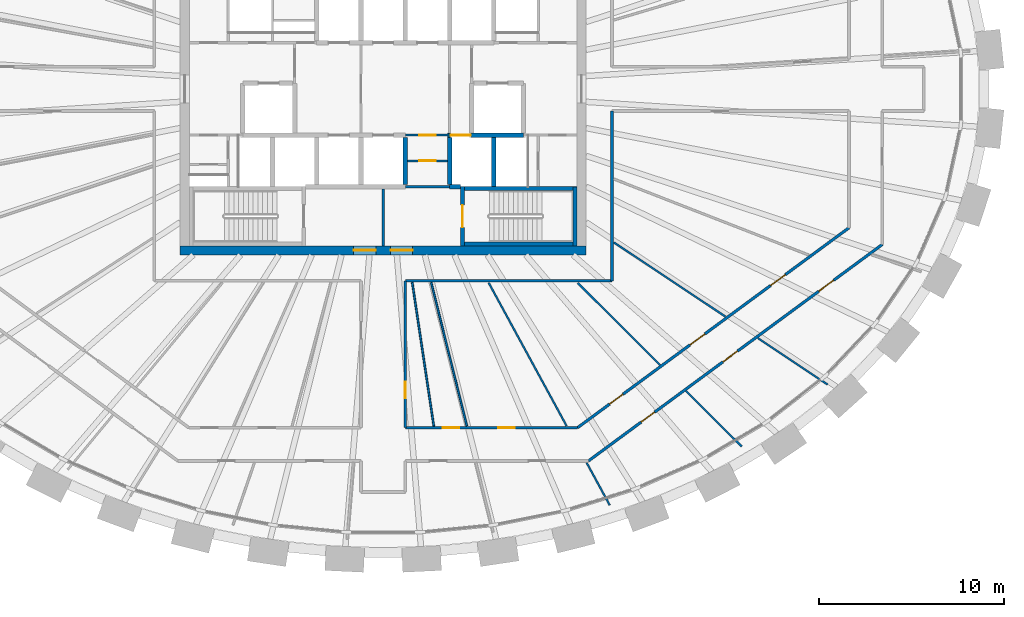
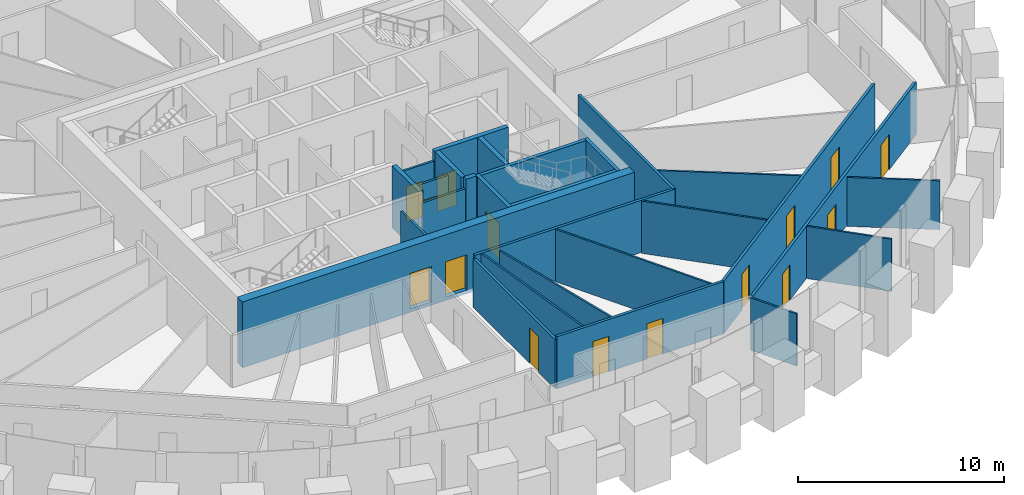
# One storey, part 8 of 12: 28 walls, 15 doors, 15 openings.
"""IFC4 building model written with IfcOpenShell, lengths in metres."""

from ifc_helpers import new_model, si_unit, direction, frame, frame_2d, origin, place, context, subcontext, project, spatial, rectangle, extrude, source, transform, mapped, material, layer, layer_set, type_object, element, fill, save


model = new_model("IFC4")

# Units and contexts
model_context = context("Model", 3, precision=1e-05, world=origin(), true_north=direction((0.0, 1.0)))
body_context = subcontext(model_context, "Body", "Model", "MODEL_VIEW")
ifc_project = project(units=[si_unit("LENGTHUNIT", "METRE"), si_unit("AREAUNIT", "SQUARE_METRE"), si_unit("VOLUMEUNIT", "CUBIC_METRE"), si_unit("PLANEANGLEUNIT", "RADIAN"), si_unit("MASSUNIT", "GRAM", prefix="KILO")], contexts=[model_context])

# Site, building, storey
site_placement = place(None, origin())
site = spatial("IfcSite", under=ifc_project, at=site_placement, CompositionType="ELEMENT")
building_placement = place(site_placement, origin())
building = spatial("IfcBuilding", under=site, at=building_placement, Name="Embergate Tower", CompositionType="ELEMENT")
storey_placement = place(building_placement, frame((0.0, 0.0, 265.60009765625)))
storey = spatial("IfcBuildingStorey", under=building, at=storey_placement, Name="L61", CompositionType="ELEMENT", Elevation=265.60009765625)

# Wall, openings, doors
ifc_material_1 = material(Name="Concrete C50", Category="concrete")
ifc_layer_1 = layer(ifc_material_1, 0.5)
ifc_layer_set_1 = layer_set([ifc_layer_1], Name="Concrete C50")
wall_type_1 = type_object("IfcWallType", Name="Core outer wall C50 500", PredefinedType="SHEAR", material=ifc_layer_set_1)
shared_shape_1 = source(origin(), body_context, "Body", "SweptSolid", [
    extrude(rectangle(XDim=22.0, YDim=0.5, at=frame_2d((11.0, 0.0))), origin(), (0.0, 0.0, 1.0), 3.900146484375),
])
wall_1_placement = place(storey_placement, frame((-11.0, -8.75, -0.2001953125), z_axis=(0.0, 0.0, 1.0), x_axis=(1.0, 0.0, 0.0)))
wall_1 = element("IfcWall", 1, at=wall_1_placement, inside=storey, type_object=wall_type_1, Name="CW-L61-S", PredefinedType="SHEAR", context=body_context, shape_type="MappedRepresentation", body=[
    mapped(shared_shape_1, transform((0.0, 0.0, 0.0))),
])
shared_shape_2 = source(origin(), body_context, "Body", "SweptSolid", [
    extrude(rectangle(XDim=1.199951171875, YDim=2.10009765625, at=frame_2d((0.60009765625, 1.050048828125))), frame((0.0, 0.260009765625, 0.0), z_axis=(0.0, -1.0, 0.0), x_axis=(1.0, 0.0, 0.0)), (0.0, 0.0, 1.0), 0.52001953125),
])
opening_1_placement = place(wall_1_placement, frame((9.39990234375, 0.0, 0.199951171875)))
opening_1 = element("IfcOpeningElement", 2, at=opening_1_placement, cuts=wall_1, Name="Opening IF-1", PredefinedType="OPENING", context=body_context, shape_type="MappedRepresentation", body=[
    mapped(shared_shape_2, transform((0.0, 0.0, 0.0))),
])
opening_2_placement = place(wall_1_placement, frame((11.39990234375, 0.0, 0.199951171875)))
opening_2 = element("IfcOpeningElement", 3, at=opening_2_placement, cuts=wall_1, Name="Opening IF-1", PredefinedType="OPENING", context=body_context, shape_type="MappedRepresentation", body=[
    mapped(shared_shape_2, transform((0.0, 0.0, 0.0))),
])
ifc_material_2 = material(Name="Escape fire door 1200")
door_type_1 = type_object("IfcDoorType", Name="Escape fire door 1200", OperationType="SINGLE_SWING_LEFT", PredefinedType="DOOR", material=ifc_material_2)
shared_shape_3 = source(origin(), body_context, "Body", "SweptSolid", [
    extrude(rectangle(XDim=1.199951171875, YDim=2.10009765625, at=frame_2d((0.60009765625, 1.050048828125))), frame((0.0, 0.02490234375, 0.0), z_axis=(0.0, -1.0, 0.0), x_axis=(1.0, 0.0, 0.0)), (0.0, 0.0, 1.0), 0.050048828125),
])
door_1_placement = place(opening_1_placement, origin())
door_1 = element("IfcDoor", 4, at=door_1_placement, inside=storey, type_object=door_type_1, Name="IF-1 door", OperationType="SINGLE_SWING_RIGHT", OverallHeight=2.10009765625, OverallWidth=1.199951171875, PredefinedType="DOOR", context=body_context, shape_type="MappedRepresentation", body=[
    mapped(shared_shape_3, transform((0.0, 0.0, 0.0))),
])
fill(opening_1, door_1)
door_2_placement = place(opening_2_placement, origin())
door_2 = element("IfcDoor", 5, at=door_2_placement, inside=storey, type_object=door_type_1, Name="IF-1 door", OperationType="SINGLE_SWING_LEFT", OverallHeight=2.10009765625, OverallWidth=1.199951171875, PredefinedType="DOOR", context=body_context, shape_type="MappedRepresentation", body=[
    mapped(shared_shape_3, transform((0.0, 0.0, 0.0))),
])
fill(opening_2, door_2)

# Walls
ifc_layer_2 = layer(ifc_material_1, 0.25)
ifc_layer_set_2 = layer_set([ifc_layer_2], Name="Concrete C50")
wall_type_2 = type_object("IfcWallType", Name="Hoistway wall reinforced concrete 250", PredefinedType="SHEAR", material=ifc_layer_set_2)
shared_shape_4 = source(origin(), body_context, "Body", "SweptSolid", [
    extrude(rectangle(XDim=2.675048828125, YDim=0.25, at=frame_2d((1.33740234375, 0.0))), origin(), (0.0, 0.0, 1.0), 3.699951171875),
])
wall_2_placement = place(storey_placement, frame((6.0, -5.300048828125, 0.0), z_axis=(0.0, 0.0, 1.0), x_axis=(0.0, 1.0, 0.0)))
element("IfcWall", 6, at=wall_2_placement, inside=storey, type_object=wall_type_2, Name="HW-1 wall", PredefinedType="SHEAR", context=body_context, shape_type="MappedRepresentation", body=[
    mapped(shared_shape_4, transform((0.0, 0.0, 0.0))),
])
ifc_layer_3 = layer(ifc_material_1, 0.199951171875)
ifc_layer_set_3 = layer_set([ifc_layer_3], Name="Concrete C50")
wall_type_3 = type_object("IfcWallType", Name="Stair enclosure wall reinforced concrete 250", PredefinedType="SHEAR", material=ifc_layer_set_3)
shared_shape_5 = source(origin(), body_context, "Body", "SweptSolid", [
    extrude(rectangle(XDim=6.300048828125, YDim=0.199951171875, at=frame_2d((3.14990234375, 0.0))), origin(), (0.0, 0.0, 1.0), 3.699951171875),
])
wall_3_placement = place(storey_placement, frame((4.199951171875, -5.39990234375, 0.0), z_axis=(0.0, 0.0, 1.0), x_axis=(1.0, 0.0, 0.0)))
element("IfcWall", 7, at=wall_3_placement, inside=storey, type_object=wall_type_3, Name="SE-1 wall", PredefinedType="SHEAR", context=body_context, shape_type="MappedRepresentation", body=[
    mapped(shared_shape_5, transform((0.0, 0.0, 0.0))),
])
shared_shape_6 = source(origin(), body_context, "Body", "SweptSolid", [
    extrude(rectangle(XDim=2.550048828125, YDim=0.25, at=frame_2d((1.27490234375, 0.0))), origin(), (0.0, 0.0, 1.0), 3.699951171875),
])
for number, where, z_axis, x_axis, name in (
    (8, (1.199951171875, -5.175048828125, 0.0), (0.0, 0.0, 1.0), (0.0, 1.0, 0.0), "HW-1 wall"),
    (9, (3.60009765625, -2.625, 0.0), (0.0, 0.0, 1.0), (0.0, -1.0, 0.0), "HW-1 wall"),
):
    element("IfcWall", number, at=place(storey_placement, frame(where, z_axis=z_axis, x_axis=x_axis)), inside=storey, type_object=wall_type_2, Name=name, PredefinedType="SHEAR", context=body_context, shape_type="MappedRepresentation", body=[
        mapped(shared_shape_6, transform((0.0, 0.0, 0.0))),
    ])

# Wall, opening, door
shared_shape_7 = source(origin(), body_context, "Body", "SweptSolid", [
    extrude(rectangle(XDim=3.199951171875, YDim=0.199951171875, at=frame_2d((1.60009765625, 0.0))), origin(), (0.0, 0.0, 1.0), 3.699951171875),
])
wall_4_placement = place(storey_placement, frame((4.300048828125, -5.300048828125, 0.0), z_axis=(0.0, 0.0, 1.0), x_axis=(0.0, -1.0, 0.0)))
wall_4 = element("IfcWall", 10, at=wall_4_placement, inside=storey, type_object=wall_type_3, Name="SE-1 wall", PredefinedType="SHEAR", context=body_context, shape_type="MappedRepresentation", body=[
    mapped(shared_shape_7, transform((0.0, 0.0, 0.0))),
])
shared_shape_8 = source(origin(), body_context, "Body", "SweptSolid", [
    extrude(rectangle(XDim=1.199951171875, YDim=2.10009765625, at=frame_2d((0.60009765625, 1.050048828125))), frame((0.0, 0.10986328125, 0.0), z_axis=(0.0, -1.0, 0.0), x_axis=(1.0, 0.0, 0.0)), (0.0, 0.0, 1.0), 0.219970703125),
])
opening_3_placement = place(wall_4_placement, frame((1.0, 0.0, 0.0)))
opening_3 = element("IfcOpeningElement", 11, at=opening_3_placement, cuts=wall_4, Name="Opening IF-2", PredefinedType="OPENING", context=body_context, shape_type="MappedRepresentation", body=[
    mapped(shared_shape_8, transform((0.0, 0.0, 0.0))),
])
ifc_material_3 = material(Name="Stair enclosure door 1200")
door_type_2 = type_object("IfcDoorType", Name="Stair enclosure door 1200", OperationType="SINGLE_SWING_LEFT", PredefinedType="DOOR", material=ifc_material_3)
door_3_placement = place(opening_3_placement, origin())
door_3 = element("IfcDoor", 12, at=door_3_placement, inside=storey, type_object=door_type_2, Name="IF-2 door", OperationType="SINGLE_SWING_RIGHT", OverallHeight=2.10009765625, OverallWidth=1.199951171875, PredefinedType="DOOR", context=body_context, shape_type="MappedRepresentation", body=[
    mapped(shared_shape_3, transform((0.0, 0.0, 0.0))),
])
fill(opening_3, door_3)

# Walls
shared_shape_9 = source(origin(), body_context, "Body", "SweptSolid", [
    extrude(rectangle(XDim=0.599853515625, YDim=0.25, at=frame_2d((0.2998046875, 0.0))), origin(), (0.0, 0.0, 1.0), 3.699951171875),
])
wall_5_placement = place(storey_placement, frame((3.60009765625, -5.300048828125, 0.0), z_axis=(0.0, 0.0, 1.0), x_axis=(1.0, 0.0, 0.0)))
element("IfcWall", 13, at=wall_5_placement, inside=storey, type_object=wall_type_2, Name="HW-1 wall", PredefinedType="SHEAR", context=body_context, shape_type="MappedRepresentation", body=[
    mapped(shared_shape_9, transform((0.0, 0.0, 0.0))),
])
ifc_material_4 = material(Name="Corridor wall dry-lined 150")
ifc_layer_4 = layer(ifc_material_4, 0.14990234375)
ifc_layer_set_4 = layer_set([ifc_layer_4], Name="Corridor wall dry-lined 150")
wall_type_4 = type_object("IfcWallType", Name="Corridor wall dry-lined 150", PredefinedType="PARTITIONING", material=ifc_layer_set_4)
shared_shape_10 = source(origin(), body_context, "Body", "SweptSolid", [
    extrude(rectangle(XDim=9.199951171875, YDim=0.14990234375, at=frame_2d((4.60009765625, 0.0))), origin(), (0.0, 0.0, 1.0), 3.099853515625),
])
wall_6_placement = place(storey_placement, frame((12.39990234375, -10.39990234375, 0.0), z_axis=(0.0, 0.0, 1.0), x_axis=(0.0, 1.0, 0.0)))
element("IfcWall", 14, at=wall_6_placement, inside=storey, type_object=wall_type_4, Name="IP-2 wall", PredefinedType="PARTITIONING", context=body_context, shape_type="MappedRepresentation", body=[
    mapped(shared_shape_10, transform((0.0, 0.0, 0.0))),
])
ifc_material_5 = material(Name="Corridor wall dry-lined 150 wet")
ifc_layer_5 = layer(ifc_material_5, 0.14990234375)
ifc_layer_set_5 = layer_set([ifc_layer_5], Name="Corridor wall dry-lined 150 wet")
wall_type_5 = type_object("IfcWallType", Name="Corridor wall dry-lined 150 wet", PredefinedType="PLUMBINGWALL", material=ifc_layer_set_5)
shared_shape_11 = source(origin(), body_context, "Body", "SweptSolid", [
    extrude(rectangle(XDim=11.199951171875, YDim=0.14990234375, at=frame_2d((5.60009765625, 0.0))), origin(), (0.0, 0.0, 1.0), 3.099853515625),
])
wall_7_placement = place(storey_placement, frame((12.39990234375, -10.39990234375, 0.0), z_axis=(0.0, 0.0, 1.0), x_axis=(-1.0, 0.0, 0.0)))
element("IfcWall", 15, at=wall_7_placement, inside=storey, type_object=wall_type_5, Name="IP-2 wall", PredefinedType="PLUMBINGWALL", context=body_context, shape_type="MappedRepresentation", body=[
    mapped(shared_shape_11, transform((0.0, 0.0, 0.0))),
])

# Wall, opening, door
ifc_material_6 = material(Name="Core partition blockwork 120")
ifc_layer_6 = layer(ifc_material_6, 0.1201171875)
ifc_layer_set_6 = layer_set([ifc_layer_6], Name="Core partition blockwork 120")
wall_type_6 = type_object("IfcWallType", Name="Core partition blockwork 120", PredefinedType="PARTITIONING", material=ifc_layer_set_6)
shared_shape_12 = source(origin(), body_context, "Body", "SweptSolid", [
    extrude(rectangle(XDim=2.400146484375, YDim=0.1201171875, at=frame_2d((1.2001953125, 0.0))), origin(), (0.0, 0.0, 1.0), 3.099853515625),
])
wall_8_placement = place(storey_placement, frame((1.199951171875, -2.5, 0.0), z_axis=(0.0, 0.0, 1.0), x_axis=(1.0, 0.0, 0.0)))
wall_8 = element("IfcWall", 16, at=wall_8_placement, inside=storey, type_object=wall_type_6, Name="IP-3 wall", PredefinedType="PARTITIONING", context=body_context, shape_type="MappedRepresentation", body=[
    mapped(shared_shape_12, transform((0.0, 0.0, 0.0))),
])
shared_shape_13 = source(origin(), body_context, "Body", "SweptSolid", [
    extrude(rectangle(XDim=0.89990234375, YDim=2.10009765625, at=frame_2d((0.449951171875, 1.050048828125))), frame((0.0, 0.070068359375, 0.0), z_axis=(0.0, -1.0, 0.0), x_axis=(1.0, 0.0, 0.0)), (0.0, 0.0, 1.0), 0.14013671875),
])
opening_4_placement = place(wall_8_placement, frame((0.75, 0.0, 0.0)))
opening_4 = element("IfcOpeningElement", 17, at=opening_4_placement, cuts=wall_8, Name="Opening ID-1", PredefinedType="OPENING", context=body_context, shape_type="MappedRepresentation", body=[
    mapped(shared_shape_13, transform((0.0, 0.0, 0.0))),
])
ifc_material_7 = material(Name="Interior door 900")
door_type_3 = type_object("IfcDoorType", Name="Interior door 900", OperationType="SINGLE_SWING_LEFT", PredefinedType="DOOR", material=ifc_material_7)
shared_shape_14 = source(origin(), body_context, "Body", "SweptSolid", [
    extrude(rectangle(XDim=0.89990234375, YDim=2.10009765625, at=frame_2d((0.449951171875, 1.050048828125))), frame((0.0, 0.02490234375, 0.0), z_axis=(0.0, -1.0, 0.0), x_axis=(1.0, 0.0, 0.0)), (0.0, 0.0, 1.0), 0.050048828125),
])
door_4_placement = place(opening_4_placement, origin())
door_4 = element("IfcDoor", 18, at=door_4_placement, inside=storey, type_object=door_type_3, Name="ID-1 door", OperationType="SINGLE_SWING_RIGHT", OverallHeight=2.10009765625, OverallWidth=0.89990234375, PredefinedType="DOOR", context=body_context, shape_type="MappedRepresentation", body=[
    mapped(shared_shape_14, transform((0.0, 0.0, 0.0))),
])
fill(opening_4, door_4)

# Walls
wall_9_placement = place(storey_placement, frame((3.60009765625, -5.300048828125, 0.0), z_axis=(0.0, 0.0, 1.0), x_axis=(-1.0, 0.0, 0.0)))
element("IfcWall", 19, at=wall_9_placement, inside=storey, type_object=wall_type_6, Name="IP-3 wall", PredefinedType="PARTITIONING", context=body_context, shape_type="MappedRepresentation", body=[
    mapped(shared_shape_12, transform((0.0, 0.0, 0.0))),
])
shared_shape_15 = source(origin(), body_context, "Body", "SweptSolid", [
    extrude(rectangle(XDim=3.074951171875, YDim=0.1201171875, at=frame_2d((1.53759765625, 0.0))), origin(), (0.0, 0.0, 1.0), 3.099853515625),
])
wall_10_placement = place(storey_placement, frame((0.0, -8.5, 0.0), z_axis=(0.0, 0.0, 1.0), x_axis=(0.0, 1.0, 0.0)))
element("IfcWall", 20, at=wall_10_placement, inside=storey, type_object=wall_type_6, Name="IP-3 wall", PredefinedType="PARTITIONING", context=body_context, shape_type="MappedRepresentation", body=[
    mapped(shared_shape_15, transform((0.0, 0.0, 0.0))),
])

# Wall, opening, door
shared_shape_16 = source(origin(), body_context, "Body", "SweptSolid", [
    extrude(rectangle(XDim=2.150146484375, YDim=0.1201171875, at=frame_2d((1.0751953125, 0.0))), origin(), (0.0, 0.0, 1.0), 3.099853515625),
])
wall_11_placement = place(storey_placement, frame((3.47509765625, -3.89990234375, 0.0), z_axis=(0.0, 0.0, 1.0), x_axis=(-1.0, 0.0, 0.0)))
wall_11 = element("IfcWall", 21, at=wall_11_placement, inside=storey, type_object=wall_type_6, Name="IP-3 wall", PredefinedType="PARTITIONING", context=body_context, shape_type="MappedRepresentation", body=[
    mapped(shared_shape_16, transform((0.0, 0.0, 0.0))),
])
opening_5_placement = place(wall_11_placement, frame((0.625, 0.0, 0.0)))
opening_5 = element("IfcOpeningElement", 22, at=opening_5_placement, cuts=wall_11, Name="Opening ID-1", PredefinedType="OPENING", context=body_context, shape_type="MappedRepresentation", body=[
    mapped(shared_shape_13, transform((0.0, 0.0, 0.0))),
])
door_5_placement = place(opening_5_placement, origin())
door_5 = element("IfcDoor", 23, at=door_5_placement, inside=storey, type_object=door_type_3, Name="ID-1 door", OperationType="SINGLE_SWING_RIGHT", OverallHeight=2.10009765625, OverallWidth=0.89990234375, PredefinedType="DOOR", context=body_context, shape_type="MappedRepresentation", body=[
    mapped(shared_shape_14, transform((0.0, 0.0, 0.0))),
])
fill(opening_5, door_5)

# Walls
shared_shape_17 = source(origin(), body_context, "Body", "SweptSolid", [
    extrude(rectangle(XDim=6.298095703125, YDim=0.199951171875, at=frame_2d((3.14892578125, 0.0))), origin(), (0.0, 0.0, 1.0), 3.699951171875),
])
wall_12_placement = place(storey_placement, frame((4.201904296875, -8.39990234375, 0.0), z_axis=(0.0, 0.0, 1.0), x_axis=(1.0, 0.0, 0.0)))
element("IfcWall", 24, at=wall_12_placement, inside=storey, type_object=wall_type_3, Name="SE-1 wall", PredefinedType="SHEAR", context=body_context, shape_type="MappedRepresentation", body=[
    mapped(shared_shape_17, transform((0.0, 0.0, 0.0))),
])
shared_shape_18 = source(origin(), body_context, "Body", "SweptSolid", [
    extrude(rectangle(XDim=3.197998046875, YDim=0.199951171875, at=frame_2d((1.59912109375, 0.0))), origin(), (0.0, 0.0, 1.0), 3.699951171875),
])
wall_13_placement = place(storey_placement, frame((10.39990234375, -8.5, 0.0), z_axis=(0.0, 0.0, 1.0), x_axis=(0.0, 1.0, 0.0)))
element("IfcWall", 25, at=wall_13_placement, inside=storey, type_object=wall_type_3, Name="SE-1 wall", PredefinedType="SHEAR", context=body_context, shape_type="MappedRepresentation", body=[
    mapped(shared_shape_18, transform((0.0, 0.0, 0.0))),
])

# Wall, openings, doors
shared_shape_19 = source(origin(), body_context, "Body", "SweptSolid", [
    extrude(rectangle(XDim=19.77294921875, YDim=0.14990234375, at=frame_2d((9.886474609375, 0.0))), origin(), (0.0, 0.0, 1.0), 3.099853515625),
])
wall_14_placement = place(storey_placement, frame((11.1259765625, -20.158935546875, 0.0), z_axis=(0.0, 0.0, 1.0), x_axis=(0.805138380898, 0.593086998344, 0.0)))
wall_14 = element("IfcWall", 26, at=wall_14_placement, inside=storey, type_object=wall_type_4, Name="IP-2 wall", PredefinedType="PARTITIONING", context=body_context, shape_type="MappedRepresentation", body=[
    mapped(shared_shape_19, transform((0.0, 0.0, 0.0))),
])
shared_shape_20 = source(origin(), body_context, "Body", "SweptSolid", [
    extrude(rectangle(XDim=0.89990234375, YDim=2.10009765625, at=frame_2d((0.449951171875, 1.050048828125))), frame((0.0, 0.0849609375, 0.0), z_axis=(0.0, -1.0, 0.0), x_axis=(1.0, 0.0, 0.0)), (0.0, 0.0, 1.0), 0.169921875),
])
opening_6_placement = place(wall_14_placement, frame((3.54833984375, 0.0, 0.0)))
opening_6 = element("IfcOpeningElement", 27, at=opening_6_placement, cuts=wall_14, Name="Opening IF-1c", PredefinedType="OPENING", context=body_context, shape_type="MappedRepresentation", body=[
    mapped(shared_shape_20, transform((0.0, 0.0, 0.0))),
])
shared_shape_21 = source(origin(), body_context, "Body", "SweptSolid", [
    extrude(rectangle(XDim=1.0, YDim=2.10009765625, at=frame_2d((0.5, 1.050048828125))), frame((0.0, 0.0849609375, 0.0), z_axis=(0.0, -1.0, 0.0), x_axis=(1.0, 0.0, 0.0)), (0.0, 0.0, 1.0), 0.169921875),
])
opening_7_placement = place(wall_14_placement, frame((9.04248046875, 0.0, 0.0)))
opening_7 = element("IfcOpeningElement", 28, at=opening_7_placement, cuts=wall_14, Name="Opening ID-2", PredefinedType="OPENING", context=body_context, shape_type="MappedRepresentation", body=[
    mapped(shared_shape_21, transform((0.0, 0.0, 0.0))),
])
opening_8_placement = place(wall_14_placement, frame((15.502197265625, 0.0, 0.0)))
opening_8 = element("IfcOpeningElement", 29, at=opening_8_placement, cuts=wall_14, Name="Opening ID-2", PredefinedType="OPENING", context=body_context, shape_type="MappedRepresentation", body=[
    mapped(shared_shape_21, transform((0.0, 0.0, 0.0))),
])
ifc_material_8 = material(Name="Escape fire door 900")
door_type_4 = type_object("IfcDoorType", Name="Escape fire door 900", OperationType="SINGLE_SWING_LEFT", PredefinedType="DOOR", material=ifc_material_8)
door_6_placement = place(opening_6_placement, origin())
door_6 = element("IfcDoor", 30, at=door_6_placement, inside=storey, type_object=door_type_4, Name="IF-1 door", OperationType="SINGLE_SWING_RIGHT", OverallHeight=2.10009765625, OverallWidth=0.89990234375, PredefinedType="DOOR", context=body_context, shape_type="MappedRepresentation", body=[
    mapped(shared_shape_14, transform((0.0, 0.0, 0.0))),
])
fill(opening_6, door_6)
ifc_material_9 = material(Name="Interior door 1000")
door_type_5 = type_object("IfcDoorType", Name="Interior door 1000", OperationType="SINGLE_SWING_LEFT", PredefinedType="DOOR", material=ifc_material_9)
shared_shape_22 = source(origin(), body_context, "Body", "SweptSolid", [
    extrude(rectangle(XDim=1.0, YDim=2.10009765625, at=frame_2d((0.5, 1.050048828125))), frame((0.0, 0.02490234375, 0.0), z_axis=(0.0, -1.0, 0.0), x_axis=(1.0, 0.0, 0.0)), (0.0, 0.0, 1.0), 0.050048828125),
])
door_7_placement = place(opening_7_placement, origin())
door_7 = element("IfcDoor", 31, at=door_7_placement, inside=storey, type_object=door_type_5, Name="ID-2 door", OperationType="SINGLE_SWING_RIGHT", OverallHeight=2.10009765625, OverallWidth=1.0, PredefinedType="DOOR", context=body_context, shape_type="MappedRepresentation", body=[
    mapped(shared_shape_22, transform((0.0, 0.0, 0.0))),
])
fill(opening_7, door_7)
door_8_placement = place(opening_8_placement, origin())
door_8 = element("IfcDoor", 32, at=door_8_placement, inside=storey, type_object=door_type_5, Name="ID-2 door", OperationType="SINGLE_SWING_RIGHT", OverallHeight=2.10009765625, OverallWidth=1.0, PredefinedType="DOOR", context=body_context, shape_type="MappedRepresentation", body=[
    mapped(shared_shape_22, transform((0.0, 0.0, 0.0))),
])
fill(opening_8, door_8)

shared_shape_23 = source(origin(), body_context, "Body", "SweptSolid", [
    extrude(rectangle(XDim=18.27197265625, YDim=0.14990234375, at=frame_2d((9.135986328125, 0.0))), origin(), (0.0, 0.0, 1.0), 3.099853515625),
])
wall_15_placement = place(storey_placement, frame((25.24609375, -7.52294921875, 0.0), z_axis=(0.0, 0.0, 1.0), x_axis=(-0.805176050135, -0.593035857507, 0.0)))
wall_15 = element("IfcWall", 33, at=wall_15_placement, inside=storey, type_object=wall_type_4, Name="IP-2 wall", PredefinedType="PARTITIONING", context=body_context, shape_type="MappedRepresentation", body=[
    mapped(shared_shape_23, transform((0.0, 0.0, 0.0))),
])
opening_9_placement = place(wall_15_placement, frame((15.213623046875, 0.0, 0.0)))
opening_9 = element("IfcOpeningElement", 34, at=opening_9_placement, cuts=wall_15, Name="Opening IF-1c", PredefinedType="OPENING", context=body_context, shape_type="MappedRepresentation", body=[
    mapped(shared_shape_20, transform((0.0, 0.0, 0.0))),
])
opening_10_placement = place(wall_15_placement, frame((9.703125, 0.0, 0.0)))
opening_10 = element("IfcOpeningElement", 35, at=opening_10_placement, cuts=wall_15, Name="Opening ID-2", PredefinedType="OPENING", context=body_context, shape_type="MappedRepresentation", body=[
    mapped(shared_shape_21, transform((0.0, 0.0, 0.0))),
])
opening_11_placement = place(wall_15_placement, frame((4.2841796875, 0.0, 0.0)))
opening_11 = element("IfcOpeningElement", 36, at=opening_11_placement, cuts=wall_15, Name="Opening ID-2", PredefinedType="OPENING", context=body_context, shape_type="MappedRepresentation", body=[
    mapped(shared_shape_21, transform((0.0, 0.0, 0.0))),
])
door_9_placement = place(opening_9_placement, origin())
door_9 = element("IfcDoor", 37, at=door_9_placement, inside=storey, type_object=door_type_4, Name="IF-1 door", OperationType="SINGLE_SWING_LEFT", OverallHeight=2.10009765625, OverallWidth=0.89990234375, PredefinedType="DOOR", context=body_context, shape_type="MappedRepresentation", body=[
    mapped(shared_shape_14, transform((0.0, 0.0, 0.0))),
])
fill(opening_9, door_9)
door_10_placement = place(opening_10_placement, origin())
door_10 = element("IfcDoor", 38, at=door_10_placement, inside=storey, type_object=door_type_5, Name="ID-2 door", OperationType="SINGLE_SWING_RIGHT", OverallHeight=2.10009765625, OverallWidth=1.0, PredefinedType="DOOR", context=body_context, shape_type="MappedRepresentation", body=[
    mapped(shared_shape_22, transform((0.0, 0.0, 0.0))),
])
fill(opening_10, door_10)
door_11_placement = place(opening_11_placement, origin())
door_11 = element("IfcDoor", 39, at=door_11_placement, inside=storey, type_object=door_type_5, Name="ID-2 door", OperationType="SINGLE_SWING_RIGHT", OverallHeight=2.10009765625, OverallWidth=1.0, PredefinedType="DOOR", context=body_context, shape_type="MappedRepresentation", body=[
    mapped(shared_shape_22, transform((0.0, 0.0, 0.0))),
])
fill(opening_11, door_11)

shared_shape_24 = source(origin(), body_context, "Body", "SweptSolid", [
    extrude(rectangle(XDim=9.333984375, YDim=0.14990234375, at=frame_2d((4.6669921875, 0.0))), origin(), (0.0, 0.0, 1.0), 3.099853515625),
])
wall_16_placement = place(storey_placement, frame((1.199951171875, -18.35888671875, 0.0), z_axis=(0.0, 0.0, 1.0), x_axis=(1.0, 0.0, 0.0)))
wall_16 = element("IfcWall", 40, at=wall_16_placement, inside=storey, type_object=wall_type_5, Name="IP-2 wall", PredefinedType="PLUMBINGWALL", context=body_context, shape_type="MappedRepresentation", body=[
    mapped(shared_shape_24, transform((0.0, 0.0, 0.0))),
])
opening_12_placement = place(wall_16_placement, frame((2.02294921875, 0.0, 0.0)))
opening_12 = element("IfcOpeningElement", 41, at=opening_12_placement, cuts=wall_16, Name="Opening IF-1c", PredefinedType="OPENING", context=body_context, shape_type="MappedRepresentation", body=[
    mapped(shared_shape_20, transform((0.0, 0.0, 0.0))),
])
opening_13_placement = place(wall_16_placement, frame((5.035888671875, 0.0, 0.0)))
opening_13 = element("IfcOpeningElement", 42, at=opening_13_placement, cuts=wall_16, Name="Opening IF-1c", PredefinedType="OPENING", context=body_context, shape_type="MappedRepresentation", body=[
    mapped(shared_shape_20, transform((0.0, 0.0, 0.0))),
])
door_12_placement = place(opening_12_placement, origin())
door_12 = element("IfcDoor", 43, at=door_12_placement, inside=storey, type_object=door_type_4, Name="IF-1 door", OperationType="SINGLE_SWING_RIGHT", OverallHeight=2.10009765625, OverallWidth=0.89990234375, PredefinedType="DOOR", context=body_context, shape_type="MappedRepresentation", body=[
    mapped(shared_shape_14, transform((0.0, 0.0, 0.0))),
])
fill(opening_12, door_12)
door_13_placement = place(opening_13_placement, origin())
door_13 = element("IfcDoor", 44, at=door_13_placement, inside=storey, type_object=door_type_4, Name="IF-1 door", OperationType="SINGLE_SWING_LEFT", OverallHeight=2.10009765625, OverallWidth=0.89990234375, PredefinedType="DOOR", context=body_context, shape_type="MappedRepresentation", body=[
    mapped(shared_shape_14, transform((0.0, 0.0, 0.0))),
])
fill(opening_13, door_13)

# Wall, opening, door
shared_shape_25 = source(origin(), body_context, "Body", "SweptSolid", [
    extrude(rectangle(XDim=7.958984375, YDim=0.14990234375, at=frame_2d((3.9794921875, 0.0))), origin(), (0.0, 0.0, 1.0), 2.89990234375),
])
wall_17_placement = place(storey_placement, frame((1.199951171875, -10.39990234375, 0.0), z_axis=(0.0, 0.0, 1.0), x_axis=(0.0, -1.0, 0.0)))
wall_17 = element("IfcWall", 45, at=wall_17_placement, inside=storey, type_object=wall_type_5, Name="IP-2 wall", PredefinedType="PLUMBINGWALL", context=body_context, shape_type="MappedRepresentation", body=[
    mapped(shared_shape_25, transform((0.0, 0.0, 0.0))),
])
opening_14_placement = place(wall_17_placement, frame((5.467041015625, 0.0, 0.0)))
opening_14 = element("IfcOpeningElement", 46, at=opening_14_placement, cuts=wall_17, Name="Opening IF-1c", PredefinedType="OPENING", context=body_context, shape_type="MappedRepresentation", body=[
    mapped(shared_shape_20, transform((0.0, 0.0, 0.0))),
])
door_14_placement = place(opening_14_placement, origin())
door_14 = element("IfcDoor", 47, at=door_14_placement, inside=storey, type_object=door_type_4, Name="IF-1 door", OperationType="SINGLE_SWING_LEFT", OverallHeight=2.10009765625, OverallWidth=0.89990234375, PredefinedType="DOOR", context=body_context, shape_type="MappedRepresentation", body=[
    mapped(shared_shape_14, transform((0.0, 0.0, 0.0))),
])
fill(opening_14, door_14)

# Walls
ifc_material_10 = material(Name="Partition dry-lined 100 wet")
ifc_layer_7 = layer(ifc_material_10, 0.10009765625)
ifc_layer_set_7 = layer_set([ifc_layer_7], Name="Partition dry-lined 100 wet")
wall_type_7 = type_object("IfcWallType", Name="Partition dry-lined 100 wet", PredefinedType="PLUMBINGWALL", material=ifc_layer_set_7)
shared_shape_26 = source(origin(), body_context, "Body", "SweptSolid", [
    extrude(rectangle(XDim=7.882568359375, YDim=0.10009765625, at=frame_2d((3.94140625, 0.0))), origin(), (0.0, 0.0, 1.0), 3.099853515625),
])
wall_18_placement = place(storey_placement, frame((1.574951171875, -10.48193359375, 0.0), z_axis=(0.0, 0.0, 1.0), x_axis=(0.14857217011, -0.988901567533, 0.0)))
element("IfcWall", 48, at=wall_18_placement, inside=storey, type_object=wall_type_7, Name="IP-1 wall", PredefinedType="PLUMBINGWALL", context=body_context, shape_type="MappedRepresentation", body=[
    mapped(shared_shape_26, transform((0.0, 0.0, 0.0))),
])
shared_shape_27 = source(origin(), body_context, "Body", "SweptSolid", [
    extrude(rectangle(XDim=8.021240234375, YDim=0.10009765625, at=frame_2d((4.0107421875, 0.0))), origin(), (0.0, 0.0, 1.0), 2.89990234375),
])
wall_19_placement = place(storey_placement, frame((2.60400390625, -10.487060546875, 0.0), z_axis=(0.0, 0.0, 1.0), x_axis=(0.24099559466, -0.970526209514, 0.0)))
element("IfcWall", 49, at=wall_19_placement, inside=storey, type_object=wall_type_7, Name="IP-1 wall", PredefinedType="PLUMBINGWALL", context=body_context, shape_type="MappedRepresentation", body=[
    mapped(shared_shape_27, transform((0.0, 0.0, 0.0))),
])
ifc_material_11 = material(Name="Partition dry-lined 100")
ifc_layer_8 = layer(ifc_material_11, 0.10009765625)
ifc_layer_set_8 = layer_set([ifc_layer_8], Name="Partition dry-lined 100")
wall_type_8 = type_object("IfcWallType", Name="Partition dry-lined 100", PredefinedType="PARTITIONING", material=ifc_layer_set_8)
shared_shape_28 = source(origin(), body_context, "Body", "SweptSolid", [
    extrude(rectangle(XDim=2.6162109375, YDim=0.10009765625, at=frame_2d((1.30810546875, 0.0))), origin(), (0.0, 0.0, 1.0), 3.099853515625),
])
wall_20_placement = place(storey_placement, frame((11.027099609375, -20.258056640625, 0.0), z_axis=(0.0, 0.0, 1.0), x_axis=(0.478145872755, -0.878280436061, 0.0)))
element("IfcWall", 50, at=wall_20_placement, inside=storey, type_object=wall_type_8, Name="IP-1 wall", PredefinedType="PARTITIONING", context=body_context, shape_type="MappedRepresentation", body=[
    mapped(shared_shape_28, transform((0.0, 0.0, 0.0))),
])
shared_shape_29 = source(origin(), body_context, "Body", "SweptSolid", [
    extrude(rectangle(XDim=4.260986328125, YDim=0.10009765625, at=frame_2d((2.13037109375, 0.0))), origin(), (0.0, 0.0, 1.0), 3.099853515625),
])
wall_21_placement = place(storey_placement, frame((16.4130859375, -16.366943359375, 0.0), z_axis=(0.0, 0.0, 1.0), x_axis=(0.708022943972, -0.706189429834, 0.0)))
element("IfcWall", 51, at=wall_21_placement, inside=storey, type_object=wall_type_8, Name="IP-1 wall", PredefinedType="PARTITIONING", context=body_context, shape_type="MappedRepresentation", body=[
    mapped(shared_shape_29, transform((0.0, 0.0, 0.0))),
])
shared_shape_30 = source(origin(), body_context, "Body", "SweptSolid", [
    extrude(rectangle(XDim=4.532958984375, YDim=0.10009765625, at=frame_2d((2.2666015625, 0.0))), origin(), (0.0, 0.0, 1.0), 2.89990234375),
])
wall_22_placement = place(storey_placement, frame((20.30908203125, -13.509033203125, 0.0), z_axis=(0.0, 0.0, 1.0), x_axis=(0.832555396717, -0.553941794232, 0.0)))
element("IfcWall", 52, at=wall_22_placement, inside=storey, type_object=wall_type_8, Name="IP-1 wall", PredefinedType="PARTITIONING", context=body_context, shape_type="MappedRepresentation", body=[
    mapped(shared_shape_30, transform((0.0, 0.0, 0.0))),
])
shared_shape_31 = source(origin(), body_context, "Body", "SweptSolid", [
    extrude(rectangle(XDim=8.83642578125, YDim=0.10009765625, at=frame_2d((4.418212890625, 0.0))), origin(), (0.0, 0.0, 1.0), 3.099853515625),
])
wall_23_placement = place(storey_placement, frame((5.715087890625, -10.4990234375, 0.0), z_axis=(0.0, 0.0, 1.0), x_axis=(0.478118301495, -0.878295445608, 0.0)))
element("IfcWall", 53, at=wall_23_placement, inside=storey, type_object=wall_type_8, Name="IP-1 wall", PredefinedType="PARTITIONING", context=body_context, shape_type="MappedRepresentation", body=[
    mapped(shared_shape_31, transform((0.0, 0.0, 0.0))),
])
shared_shape_32 = source(origin(), body_context, "Body", "SweptSolid", [
    extrude(rectangle(XDim=6.307373046875, YDim=0.10009765625, at=frame_2d((3.15380859375, 0.0))), origin(), (0.0, 0.0, 1.0), 3.099853515625),
])
wall_24_placement = place(storey_placement, frame((10.5390625, -10.510009765625, 0.0), z_axis=(0.0, 0.0, 1.0), x_axis=(0.70803514775, -0.706177194159, 0.0)))
element("IfcWall", 54, at=wall_24_placement, inside=storey, type_object=wall_type_8, Name="IP-1 wall", PredefinedType="PARTITIONING", context=body_context, shape_type="MappedRepresentation", body=[
    mapped(shared_shape_32, transform((0.0, 0.0, 0.0))),
])
shared_shape_33 = source(origin(), body_context, "Body", "SweptSolid", [
    extrude(rectangle(XDim=7.263916015625, YDim=0.10009765625, at=frame_2d((3.6318359375, 0.0))), origin(), (0.0, 0.0, 1.0), 2.89990234375),
])
wall_25_placement = place(storey_placement, frame((12.5029296875, -8.31689453125, 0.0), z_axis=(0.0, 0.0, 1.0), x_axis=(0.832613473912, -0.55385449629, 0.0)))
element("IfcWall", 55, at=wall_25_placement, inside=storey, type_object=wall_type_8, Name="IP-1 wall", PredefinedType="PARTITIONING", context=body_context, shape_type="MappedRepresentation", body=[
    mapped(shared_shape_33, transform((0.0, 0.0, 0.0))),
])

# Wall, opening, door
shared_shape_34 = source(origin(), body_context, "Body", "SweptSolid", [
    extrude(rectangle(XDim=4.125, YDim=0.25, at=frame_2d((2.0625, 0.0))), origin(), (0.0, 0.0, 1.0), 3.699951171875),
])
wall_26_placement = place(storey_placement, frame((7.60009765625, -2.5, 0.0), z_axis=(0.0, 0.0, 1.0), x_axis=(-1.0, 0.0, 0.0)))
wall_26 = element("IfcWall", 56, at=wall_26_placement, inside=storey, type_object=wall_type_2, Name="HW-1 wall", PredefinedType="SHEAR", context=body_context, shape_type="MappedRepresentation", body=[
    mapped(shared_shape_34, transform((0.0, 0.0, 0.0))),
])
shared_shape_35 = source(origin(), body_context, "Body", "SweptSolid", [
    extrude(rectangle(XDim=1.10009765625, YDim=2.10009765625, at=frame_2d((0.550048828125, 1.050048828125))), frame((0.0, 0.135009765625, 0.0), z_axis=(0.0, -1.0, 0.0), x_axis=(1.0, 0.0, 0.0)), (0.0, 0.0, 1.0), 0.27001953125),
])
opening_15_placement = place(wall_26_placement, frame((2.85009765625, 0.0, 0.0)))
opening_15 = element("IfcOpeningElement", 57, at=opening_15_placement, cuts=wall_26, Name="Opening LD", PredefinedType="OPENING", context=body_context, shape_type="MappedRepresentation", body=[
    mapped(shared_shape_35, transform((0.0, 0.0, 0.0))),
])
ifc_material_12 = material(Name="Landing door sliding 1100")
door_type_6 = type_object("IfcDoorType", Name="Landing door sliding 1100", OperationType="SLIDING_TO_LEFT", PredefinedType="DOOR", material=ifc_material_12)
shared_shape_36 = source(origin(), body_context, "Body", "SweptSolid", [
    extrude(rectangle(XDim=1.10009765625, YDim=2.10009765625, at=frame_2d((0.550048828125, 1.050048828125))), frame((0.0, 0.02490234375, 0.0), z_axis=(0.0, -1.0, 0.0), x_axis=(1.0, 0.0, 0.0)), (0.0, 0.0, 1.0), 0.050048828125),
])
door_15_placement = place(opening_15_placement, origin())
door_15 = element("IfcDoor", 58, at=door_15_placement, inside=storey, type_object=door_type_6, Name="LD door", OperationType="SLIDING_TO_RIGHT", OverallHeight=2.10009765625, OverallWidth=1.10009765625, PredefinedType="DOOR", context=body_context, shape_type="MappedRepresentation", body=[
    mapped(shared_shape_36, transform((0.0, 0.0, 0.0))),
])
fill(opening_15, door_15)

save(model, "model.ifc")
